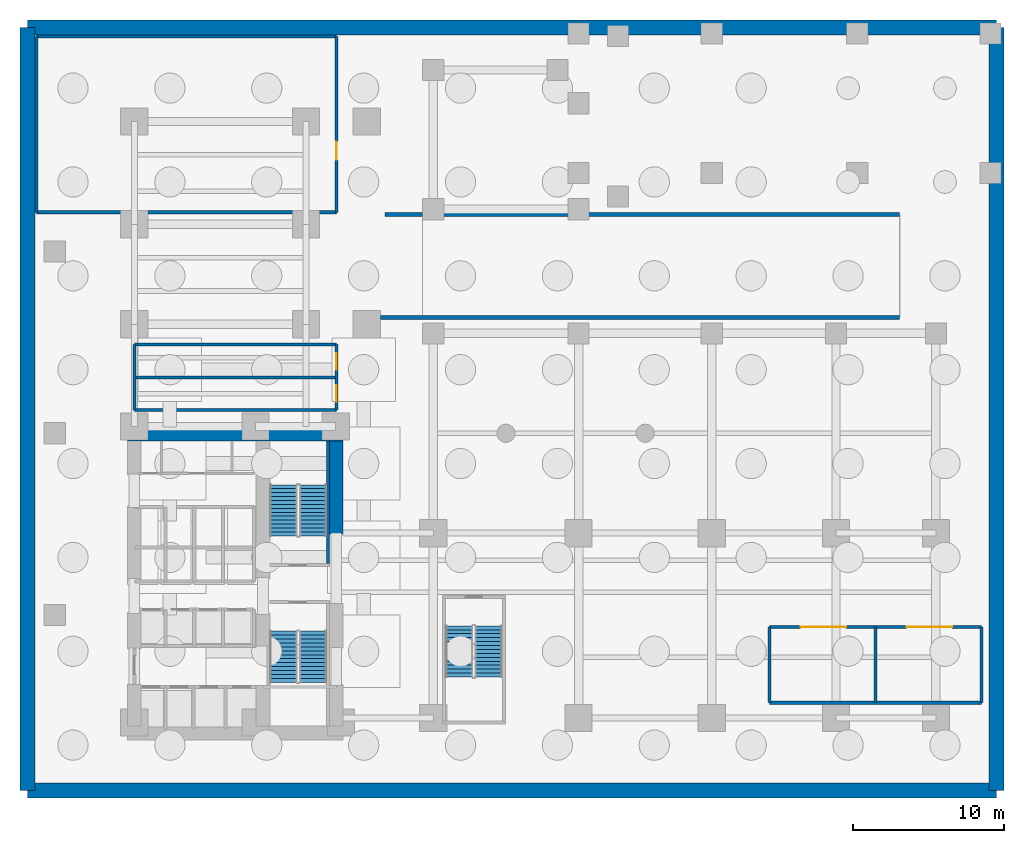
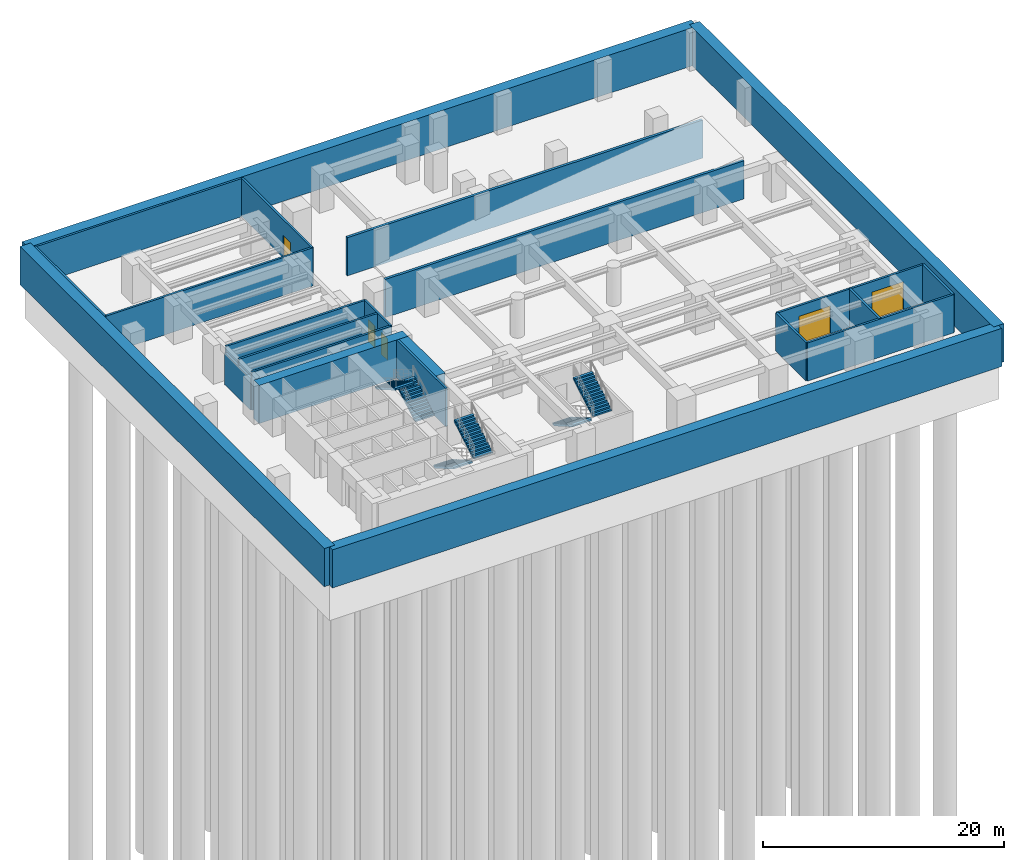
# One storey, part 4 of 6: 23 walls, 6 stair flights, 5 doors, 5 openings, 3 elements without a shape of their own.
"""IFC4 building model written with IfcOpenShell, lengths in metres."""

from ifc_helpers import new_model, si_unit, direction, frame, frame_2d, origin, place, context, subcontext, project, spatial, polyline, rectangle, outline, extrude, material, layer, layer_set, type_object, element, fill, aggregate, save


model = new_model("IFC4")

# Units and contexts
model_context = context("Model", 3, precision=1e-05, world=origin(), true_north=direction((0.0, 1.0)))
body_context = subcontext(model_context, "Body", "Model", "MODEL_VIEW")
ifc_project = project(units=[si_unit("LENGTHUNIT", "METRE"), si_unit("AREAUNIT", "SQUARE_METRE"), si_unit("VOLUMEUNIT", "CUBIC_METRE"), si_unit("PLANEANGLEUNIT", "RADIAN"), si_unit("MASSUNIT", "GRAM", prefix="KILO")], contexts=[model_context])

# Site, building, storey
site_placement = place(None, origin())
site = spatial("IfcSite", under=ifc_project, at=site_placement, CompositionType="ELEMENT")
building_placement = place(site_placement, origin())
building = spatial("IfcBuilding", under=site, at=building_placement, Name="Kolvaren Waterfront Exchange", CompositionType="ELEMENT")
storey_placement = place(building_placement, frame((0.0, 0.0, -8.39990234375)))
storey = spatial("IfcBuildingStorey", under=building, at=storey_placement, Name="B02", CompositionType="ELEMENT", Elevation=-8.39990234375)

# Wall, openings, doors
ifc_material_1 = material(Name="Precast concrete C40/50", Category="concrete")
ifc_layer_1 = layer(ifc_material_1, 0.199951171875, Name="Precast concrete C40/50")
ifc_layer_set_1 = layer_set([ifc_layer_1], Name="Precast concrete C40/50")
wall_type_1 = type_object("IfcWallType", Name="ARC-FIRE-200", PredefinedType="PARTITIONING", material=ifc_layer_set_1)
wall_1_placement = place(storey_placement, frame((49.39990234375, 11.199951171875, 0.0), z_axis=(0.0, 0.0, 1.0), x_axis=(1.0, 0.0, 0.0)))
wall_1 = element("IfcWall", 1, at=wall_1_placement, inside=storey, type_object=wall_type_1, Name="B02 interior wall PW-B02-EQBAY-N", PredefinedType="PARTITIONING", context=body_context, shape_type="SweptSolid", body=[
    extrude(rectangle(XDim=14.0, YDim=0.199951171875, at=frame_2d((7.0, 0.0))), origin(), (0.0, 0.0, 1.0), 3.85986328125),
])
opening_1_placement = place(wall_1_placement, frame((2.0732421875, 0.0, 0.0)))
opening_1 = element("IfcOpeningElement", 2, at=opening_1_placement, cuts=wall_1, Name="Opening VG2", PredefinedType="OPENING", context=body_context, shape_type="SweptSolid", body=[
    extrude(rectangle(XDim=3.0, YDim=2.800048828125, at=frame_2d((1.5, 1.39990234375))), frame((0.0, 0.10986328125, 0.0), z_axis=(0.0, -1.0, 0.0), x_axis=(1.0, 0.0, 0.0)), (0.0, 0.0, 1.0), 0.219970703125),
])
opening_2_placement = place(wall_1_placement, frame((9.0732421875, 0.0, 0.0)))
opening_2 = element("IfcOpeningElement", 3, at=opening_2_placement, cuts=wall_1, Name="Opening VG2", PredefinedType="OPENING", context=body_context, shape_type="SweptSolid", body=[
    extrude(rectangle(XDim=3.0, YDim=2.800048828125, at=frame_2d((1.5, 1.39990234375))), frame((0.0, 0.10986328125, 0.0), z_axis=(0.0, -1.0, 0.0), x_axis=(1.0, 0.0, 0.0)), (0.0, 0.0, 1.0), 0.219970703125),
])
ifc_material_2 = material(Name="Anodised aluminium security slats", Category="aluminium")
door_type_1 = type_object("IfcDoorType", Name="ARC-GATE-SVC", OperationType="ROLLINGUP", PredefinedType="GATE", material=ifc_material_2)
door_1_placement = place(opening_1_placement, origin())
door_1 = element("IfcDoor", 4, at=door_1_placement, inside=storey, type_object=door_type_1, Name="B02 door DR-B02-EQ-G1 (VG2)", OperationType="ROLLINGUP", OverallHeight=2.800048828125, OverallWidth=3.0, PredefinedType="GATE", context=body_context, shape_type="SweptSolid", body=[
    extrude(rectangle(XDim=3.0, YDim=2.800048828125, at=frame_2d((1.5, 1.39990234375))), frame((0.0, 0.02490234375, 0.0), z_axis=(0.0, -1.0, 0.0), x_axis=(1.0, 0.0, 0.0)), (0.0, 0.0, 1.0), 0.050048828125),
])
fill(opening_1, door_1)
door_2_placement = place(opening_2_placement, origin())
door_2 = element("IfcDoor", 5, at=door_2_placement, inside=storey, type_object=door_type_1, Name="B02 door DR-B02-EQ-G2 (VG2)", OperationType="ROLLINGUP", OverallHeight=2.800048828125, OverallWidth=3.0, PredefinedType="GATE", context=body_context, shape_type="SweptSolid", body=[
    extrude(rectangle(XDim=3.0, YDim=2.800048828125, at=frame_2d((1.5, 1.39990234375))), frame((0.0, 0.02490234375, 0.0), z_axis=(0.0, -1.0, 0.0), x_axis=(1.0, 0.0, 0.0)), (0.0, 0.0, 1.0), 0.050048828125),
])
fill(opening_2, door_2)

# Walls
wall_2_placement = place(storey_placement, frame((49.39990234375, 6.199951171875, 0.0), z_axis=(0.0, 0.0, 1.0), x_axis=(0.0, 1.0, 0.0)))
element("IfcWall", 6, at=wall_2_placement, inside=storey, type_object=wall_type_1, Name="B02 interior wall PW-B02-EQBAY-W", PredefinedType="PARTITIONING", context=body_context, shape_type="SweptSolid", body=[
    extrude(rectangle(XDim=5.0, YDim=0.199951171875, at=frame_2d((2.5, 0.0))), origin(), (0.0, 0.0, 1.0), 3.85986328125),
])
wall_3_placement = place(storey_placement, frame((49.39990234375, 6.199951171875, 0.0), z_axis=(0.0, 0.0, 1.0), x_axis=(1.0, 0.0, 0.0)))
element("IfcWall", 7, at=wall_3_placement, inside=storey, type_object=wall_type_1, Name="B02 interior wall PW-B02-EQBAY-S", PredefinedType="PARTITIONING", context=body_context, shape_type="SweptSolid", body=[
    extrude(rectangle(XDim=14.0, YDim=0.199951171875, at=frame_2d((7.0, 0.0))), origin(), (0.0, 0.0, 1.0), 3.85986328125),
])
for number, where, z_axis, x_axis, name in (
    (8, (63.39990234375, 6.199951171875, 0.0), (0.0, 0.0, 1.0), (0.0, 1.0, 0.0), "B02 interior wall PW-B02-EQBAY-E"),
    (9, (56.39990234375, 6.199951171875, 0.0), (0.0, 0.0, 1.0), (0.0, 1.0, 0.0), "B02 interior wall PW-B02-EQBAY-MID"),
):
    element("IfcWall", number, at=place(storey_placement, frame(where, z_axis=z_axis, x_axis=x_axis)), inside=storey, type_object=wall_type_1, Name=name, PredefinedType="PARTITIONING", context=body_context, shape_type="SweptSolid", body=[
        extrude(rectangle(XDim=5.0, YDim=0.199951171875, at=frame_2d((2.5, 0.0))), origin(), (0.0, 0.0, 1.0), 3.85986328125),
    ])

# Wall, openings, doors
wall_4_placement = place(storey_placement, frame((20.800048828125, 25.550048828125, 0.0), z_axis=(0.0, 0.0, 1.0), x_axis=(0.0, 1.0, 0.0)))
wall_4 = element("IfcWall", 10, at=wall_4_placement, inside=storey, type_object=wall_type_1, Name="B02 interior wall PW-B02-BPLANT-E", PredefinedType="PARTITIONING", context=body_context, shape_type="SweptSolid", body=[
    extrude(rectangle(XDim=4.300048828125, YDim=0.199951171875, at=frame_2d((2.14990234375, 0.0))), origin(), (0.0, 0.0, 1.0), 3.85986328125),
])
opening_3_placement = place(wall_4_placement, frame((0.52490234375, 0.0, 0.0)))
opening_3 = element("IfcOpeningElement", 11, at=opening_3_placement, cuts=wall_4, Name="Opening FD2", PredefinedType="OPENING", context=body_context, shape_type="SweptSolid", body=[
    extrude(rectangle(XDim=1.10009765625, YDim=2.199951171875, at=frame_2d((0.550048828125, 1.10009765625))), frame((0.0, 0.10986328125, 0.0), z_axis=(0.0, -1.0, 0.0), x_axis=(1.0, 0.0, 0.0)), (0.0, 0.0, 1.0), 0.219970703125),
])
opening_4_placement = place(wall_4_placement, frame((2.64990234375, 0.0, 0.0)))
opening_4 = element("IfcOpeningElement", 12, at=opening_4_placement, cuts=wall_4, Name="Opening FD2", PredefinedType="OPENING", context=body_context, shape_type="SweptSolid", body=[
    extrude(rectangle(XDim=1.10009765625, YDim=2.199951171875, at=frame_2d((0.550048828125, 1.10009765625))), frame((0.0, 0.10986328125, 0.0), z_axis=(0.0, -1.0, 0.0), x_axis=(1.0, 0.0, 0.0)), (0.0, 0.0, 1.0), 0.219970703125),
])
ifc_material_3 = material(Name="Pressed steel smoke-seal fire door", Category="steel")
door_type_2 = type_object("IfcDoorType", Name="ARC-FD-1100", OperationType="NOTDEFINED", PredefinedType="DOOR", material=ifc_material_3)
door_3_placement = place(opening_3_placement, frame((1.10009765625, 0.0, 0.0), z_axis=(0.0, 0.0, 1.0), x_axis=(-1.0, 0.0, 0.0)))
door_3 = element("IfcDoor", 13, at=door_3_placement, inside=storey, type_object=door_type_2, Name="B02 door DR-B02-BP-D1 (FD2)", OperationType="SINGLE_SWING_RIGHT", OverallHeight=2.199951171875, OverallWidth=1.10009765625, PredefinedType="DOOR", context=body_context, shape_type="SweptSolid", body=[
    extrude(rectangle(XDim=1.10009765625, YDim=2.199951171875, at=frame_2d((0.550048828125, 1.10009765625))), frame((0.0, 0.02490234375, 0.0), z_axis=(0.0, -1.0, 0.0), x_axis=(1.0, 0.0, 0.0)), (0.0, 0.0, 1.0), 0.050048828125),
])
fill(opening_3, door_3)
door_4_placement = place(opening_4_placement, frame((1.10009765625, 0.0, 0.0), z_axis=(0.0, 0.0, 1.0), x_axis=(-1.0, 0.0, 0.0)))
door_4 = element("IfcDoor", 14, at=door_4_placement, inside=storey, type_object=door_type_2, Name="B02 door DR-B02-BP-D2 (FD2)", OperationType="SINGLE_SWING_LEFT", OverallHeight=2.199951171875, OverallWidth=1.10009765625, PredefinedType="DOOR", context=body_context, shape_type="SweptSolid", body=[
    extrude(rectangle(XDim=1.10009765625, YDim=2.199951171875, at=frame_2d((0.550048828125, 1.10009765625))), frame((0.0, 0.02490234375, 0.0), z_axis=(0.0, -1.0, 0.0), x_axis=(1.0, 0.0, 0.0)), (0.0, 0.0, 1.0), 0.050048828125),
])
fill(opening_4, door_4)

# Walls
for number, where, z_axis, x_axis, name in (
    (15, (7.449951171875, 25.550048828125, 0.0), (0.0, 0.0, 1.0), (1.0, 0.0, 0.0), "B02 interior wall PW-B02-BPLANT-S"),
    (16, (7.449951171875, 29.85009765625, 0.0), (0.0, 0.0, 1.0), (1.0, 0.0, 0.0), "B02 interior wall PW-B02-BPLANT-N"),
):
    element("IfcWall", number, at=place(storey_placement, frame(where, z_axis=z_axis, x_axis=x_axis)), inside=storey, type_object=wall_type_1, Name=name, PredefinedType="PARTITIONING", context=body_context, shape_type="SweptSolid", body=[
        extrude(rectangle(XDim=13.35009765625, YDim=0.199951171875, at=frame_2d((6.675048828125, 0.0))), origin(), (0.0, 0.0, 1.0), 3.85986328125),
    ])
wall_5_placement = place(storey_placement, frame((7.449951171875, 25.550048828125, 0.0), z_axis=(0.0, 0.0, 1.0), x_axis=(0.0, 1.0, 0.0)))
element("IfcWall", 17, at=wall_5_placement, inside=storey, type_object=wall_type_1, Name="B02 interior wall PW-B02-BPLANT-W", PredefinedType="PARTITIONING", context=body_context, shape_type="SweptSolid", body=[
    extrude(rectangle(XDim=4.300048828125, YDim=0.199951171875, at=frame_2d((2.14990234375, 0.0))), origin(), (0.0, 0.0, 1.0), 3.2099609375),
])
wall_6_placement = place(storey_placement, frame((7.449951171875, 27.699951171875, 0.0), z_axis=(0.0, 0.0, 1.0), x_axis=(1.0, 0.0, 0.0)))
element("IfcWall", 18, at=wall_6_placement, inside=storey, type_object=wall_type_1, Name="B02 interior wall PW-B02-BPLANT-MID", PredefinedType="PARTITIONING", context=body_context, shape_type="SweptSolid", body=[
    extrude(rectangle(XDim=13.35009765625, YDim=0.199951171875, at=frame_2d((6.675048828125, 0.0))), origin(), (0.0, 0.0, 1.0), 3.85986328125),
])
wall_7_placement = place(storey_placement, frame((1.0, 38.60009765625, 0.0), z_axis=(0.0, 0.0, 1.0), x_axis=(1.0, 0.0, 0.0)))
element("IfcWall", 19, at=wall_7_placement, inside=storey, type_object=wall_type_1, Name="B02 interior wall PW-B02-LOAD-S", PredefinedType="PARTITIONING", context=body_context, shape_type="SweptSolid", body=[
    extrude(rectangle(XDim=19.800048828125, YDim=0.199951171875, at=frame_2d((9.89990234375, 0.0))), origin(), (0.0, 0.0, 1.0), 3.85986328125),
])
wall_8_placement = place(storey_placement, frame((1.0, 38.60009765625, 0.0), z_axis=(0.0, 0.0, 1.0), x_axis=(0.0, 1.0, 0.0)))
element("IfcWall", 20, at=wall_8_placement, inside=storey, type_object=wall_type_1, Name="B02 interior wall PW-B02-LOAD-W", PredefinedType="PARTITIONING", context=body_context, shape_type="SweptSolid", body=[
    extrude(rectangle(XDim=11.599853515625, YDim=0.199951171875, at=frame_2d((5.7998046875, 0.0))), origin(), (0.0, 0.0, 1.0), 3.85986328125),
])
wall_9_placement = place(storey_placement, frame((1.0, 50.199951171875, 0.0), z_axis=(0.0, 0.0, 1.0), x_axis=(1.0, 0.0, 0.0)))
element("IfcWall", 21, at=wall_9_placement, inside=storey, type_object=wall_type_1, Name="B02 interior wall PW-B02-LOAD-N", PredefinedType="PARTITIONING", context=body_context, shape_type="SweptSolid", body=[
    extrude(rectangle(XDim=19.800048828125, YDim=0.199951171875, at=frame_2d((9.89990234375, 0.0))), origin(), (0.0, 0.0, 1.0), 3.85986328125),
])

# Wall, opening, door
wall_10_placement = place(storey_placement, frame((20.800048828125, 38.60009765625, 0.0), z_axis=(0.0, 0.0, 1.0), x_axis=(0.0, 1.0, 0.0)))
wall_10 = element("IfcWall", 22, at=wall_10_placement, inside=storey, type_object=wall_type_1, Name="B02 interior wall PW-B02-LOAD-E", PredefinedType="PARTITIONING", context=body_context, shape_type="SweptSolid", body=[
    extrude(rectangle(XDim=11.599853515625, YDim=0.199951171875, at=frame_2d((5.7998046875, 0.0))), origin(), (0.0, 0.0, 1.0), 3.85986328125),
])
opening_5_placement = place(wall_10_placement, frame((3.462158203125, 0.0, 0.0)))
opening_5 = element("IfcOpeningElement", 23, at=opening_5_placement, cuts=wall_10, Name="Opening FD3", PredefinedType="OPENING", context=body_context, shape_type="SweptSolid", body=[
    extrude(rectangle(XDim=1.199951171875, YDim=2.25, at=frame_2d((0.60009765625, 1.125))), frame((0.0, 0.10986328125, 0.0), z_axis=(0.0, -1.0, 0.0), x_axis=(1.0, 0.0, 0.0)), (0.0, 0.0, 1.0), 0.219970703125),
])
ifc_material_4 = material(Name="Pressed steel fire door", Category="steel")
door_type_3 = type_object("IfcDoorType", Name="ARC-FD-1200", OperationType="NOTDEFINED", PredefinedType="DOOR", material=ifc_material_4)
door_5_placement = place(opening_5_placement, origin())
door_5 = element("IfcDoor", 24, at=door_5_placement, inside=storey, type_object=door_type_3, Name="B02 door DR-B02-TANK-DR (FD3)", OperationType="SINGLE_SWING_RIGHT", OverallHeight=2.25, OverallWidth=1.199951171875, PredefinedType="DOOR", context=body_context, shape_type="SweptSolid", body=[
    extrude(rectangle(XDim=1.199951171875, YDim=2.25, at=frame_2d((0.60009765625, 1.125))), frame((0.0, 0.02490234375, 0.0), z_axis=(0.0, -1.0, 0.0), x_axis=(1.0, 0.0, 0.0)), (0.0, 0.0, 1.0), 0.050048828125),
])
fill(opening_5, door_5)

# Walls
ifc_material_5 = material(Name="Concrete C40/50", Category="concrete")
ifc_layer_2 = layer(ifc_material_5, 0.199951171875, Name="Concrete C40/50")
ifc_layer_set_2 = layer_set([ifc_layer_2], Name="Concrete C40/50")
wall_type_2 = type_object("IfcWallType", Name="ARC-SHAFT-200", PredefinedType="PARTITIONING", material=ifc_layer_set_2)
wall_11_placement = place(storey_placement, frame((20.260009765625, 15.39990234375, 0.0), z_axis=(0.0, 0.0, 1.0), x_axis=(0.0, 1.0, 0.0)))
element("IfcWall", 25, at=wall_11_placement, inside=storey, type_object=wall_type_2, Name="B02 structural stairwell wall PW-B02-ST2-E", PredefinedType="SHEAR", context=body_context, shape_type="SweptSolid", body=[
    extrude(rectangle(XDim=8.090087890625, YDim=0.199951171875, at=frame_2d((4.044921875, 0.0))), origin(), (0.0, 0.0, 1.0), 3.85986328125),
])
ifc_material_6 = material(Name="Concrete C70/85", Category="concrete")
ifc_layer_3 = layer(ifc_material_6, 0.89990234375, Name="Concrete C70/85")
ifc_layer_set_3 = layer_set([ifc_layer_3], Name="Concrete C70/85")
wall_type_3 = type_object("IfcWallType", Name="STR-CWALL-900", PredefinedType="SHEAR", material=ifc_layer_set_3)
wall_12_placement = place(storey_placement, frame((7.0, 23.949951171875, 0.0), z_axis=(0.0, 0.0, 1.0), x_axis=(1.0, 0.0, 0.0)))
element("IfcWall", 26, at=wall_12_placement, inside=storey, type_object=wall_type_3, Name="B02 rear-core shear wall N", PredefinedType="SHEAR", context=body_context, shape_type="SweptSolid", body=[
    extrude(rectangle(XDim=14.25, YDim=0.89990234375, at=frame_2d((7.125, 0.0))), origin(), (0.0, 0.0, 1.0), 3.85986328125),
])
wall_13_placement = place(storey_placement, frame((20.800048828125, 17.35009765625, 0.0), z_axis=(0.0, 0.0, 1.0), x_axis=(0.0, 1.0, 0.0)))
element("IfcWall", 27, at=wall_13_placement, inside=storey, type_object=wall_type_3, Name="B02 rear-core shear wall E3", PredefinedType="SHEAR", context=body_context, shape_type="SweptSolid", body=[
    extrude(rectangle(XDim=6.14990234375, YDim=0.89990234375, at=frame_2d((3.074951171875, 0.0))), origin(), (0.0, 0.0, 1.0), 3.85986328125),
])
ifc_layer_4 = layer(ifc_material_5, 1.0, Name="Concrete C40/50")
ifc_layer_set_4 = layer_set([ifc_layer_4], Name="Concrete C40/50")
wall_type_4 = type_object("IfcWallType", Name="STR-DWALL-1000", PredefinedType="USERDEFINED", material=ifc_layer_set_4)
wall_14_placement = place(storey_placement, frame((0.39990234375, 0.39990234375, 0.0), z_axis=(0.0, 0.0, 1.0), x_axis=(1.0, 0.0, 0.0)))
element("IfcWall", 28, at=wall_14_placement, inside=storey, type_object=wall_type_4, Name="B02 S diaphragm retaining wall", ObjectType="RETAININGWALL", PredefinedType="USERDEFINED", context=body_context, shape_type="SweptSolid", body=[
    extrude(rectangle(XDim=64.0, YDim=1.0, at=frame_2d((32.0, 0.0))), origin(), (0.0, 0.0, 1.0), 3.85986328125),
])
wall_15_placement = place(storey_placement, frame((64.39990234375, 0.39990234375, 0.0), z_axis=(0.0, 0.0, 1.0), x_axis=(0.0, 1.0, 0.0)))
element("IfcWall", 29, at=wall_15_placement, inside=storey, type_object=wall_type_4, Name="B02 E diaphragm retaining wall", ObjectType="RETAININGWALL", PredefinedType="USERDEFINED", context=body_context, shape_type="SweptSolid", body=[
    extrude(rectangle(XDim=50.400146484375, YDim=1.0, at=frame_2d((25.2001953125, 0.0))), origin(), (0.0, 0.0, 1.0), 3.85986328125),
])
wall_16_placement = place(storey_placement, frame((64.39990234375, 50.800048828125, 0.0), z_axis=(0.0, 0.0, 1.0), x_axis=(-1.0, 0.0, 0.0)))
element("IfcWall", 30, at=wall_16_placement, inside=storey, type_object=wall_type_4, Name="B02 N diaphragm retaining wall", ObjectType="RETAININGWALL", PredefinedType="USERDEFINED", context=body_context, shape_type="SweptSolid", body=[
    extrude(rectangle(XDim=64.0, YDim=1.0, at=frame_2d((32.0, 0.0))), origin(), (0.0, 0.0, 1.0), 3.85986328125),
])
wall_17_placement = place(storey_placement, frame((0.39990234375, 50.800048828125, 0.0), z_axis=(0.0, 0.0, 1.0), x_axis=(0.0, -1.0, 0.0)))
element("IfcWall", 31, at=wall_17_placement, inside=storey, type_object=wall_type_4, Name="B02 W diaphragm retaining wall", ObjectType="RETAININGWALL", PredefinedType="USERDEFINED", context=body_context, shape_type="SweptSolid", body=[
    extrude(rectangle(XDim=50.400146484375, YDim=1.0, at=frame_2d((25.2001953125, 0.0))), origin(), (0.0, 0.0, 1.0), 3.85986328125),
])
ifc_layer_5 = layer(ifc_material_5, 0.25, Name="Concrete C40/50")
ifc_layer_set_5 = layer_set([ifc_layer_5], Name="Concrete C40/50")
wall_type_5 = type_object("IfcWallType", Name="STR-RWALL-250", PredefinedType="SOLIDWALL", material=ifc_layer_set_5)
wall_18_placement = place(storey_placement, frame((23.699951171875, 31.64990234375, 0.0), z_axis=(0.0, 0.0, 1.0), x_axis=(1.0, 0.0, 0.0)))
element("IfcWall", 32, at=wall_18_placement, inside=storey, type_object=wall_type_5, Name="B02 vehicle ramp south bearing wall", PredefinedType="SOLIDWALL", context=body_context, shape_type="SweptSolid", body=[
    extrude(rectangle(XDim=34.300048828125, YDim=0.25, at=frame_2d((17.14990234375, 0.0))), origin(), (0.0, 0.0, 1.0), 3.85986328125),
])
wall_19_placement = place(storey_placement, frame((24.0, 38.449951171875, 0.0), z_axis=(0.0, 0.0, 1.0), x_axis=(1.0, 0.0, 0.0)))
element("IfcWall", 33, at=wall_19_placement, inside=storey, type_object=wall_type_5, Name="B02 vehicle ramp north bearing wall", PredefinedType="SOLIDWALL", context=body_context, shape_type="SweptSolid", body=[
    extrude(rectangle(XDim=34.0, YDim=0.25, at=frame_2d((17.0, 0.0))), origin(), (0.0, 0.0, 1.0), 3.85986328125),
])

# Stair, stair flights
stair_type = type_object("IfcStairType", Name="ARC-STAIR-4200", PredefinedType="HALF_TURN_STAIR", material=ifc_material_5)
stair_1_placement = place(storey_placement, origin())
stair_1 = element("IfcStair", 34, at=stair_1_placement, inside=storey, type_object=stair_type, Name="B02 Smoke-proof exit stair ST1", PredefinedType="HALF_TURN_STAIR")
stair_flight_type = type_object("IfcStairFlightType", Name="ARC-FLIGHT-4200", PredefinedType="STRAIGHT", material=ifc_material_5)
stair_flight_1_placement = place(storey_placement, frame((17.300048828125, 10.929931640625, 0.0), z_axis=(0.0, 0.0, 1.0), x_axis=(0.0, -1.0, 0.0)))
stair_flight_1 = element("IfcStairFlight", 35, at=stair_flight_1_placement, type_object=stair_flight_type, Name="ST1 flight 1", NumberOfRisers=14, NumberOfTreads=13, PredefinedType="STRAIGHT", RiserHeight=0.15, TreadLength=0.26, context=body_context, shape_type="SweptSolid", body=[
    extrude(outline(polyline([(0.0, 0.0), (0.0, 0.14990234375), (0.260009765625, 0.14990234375), (0.260009765625, 0.300048828125), (0.52001953125, 0.300048828125), (0.52001953125, 0.449951171875), (0.780029296875, 0.449951171875), (0.780029296875, 0.60009765625), (1.0400390625, 0.60009765625), (1.0400390625, 0.75), (1.300048828125, 0.75), (1.300048828125, 0.89990234375), (1.56005859375, 0.89990234375), (1.56005859375, 1.050048828125), (1.820068359375, 1.050048828125), (1.820068359375, 1.199951171875), (2.080078125, 1.199951171875), (2.080078125, 1.35009765625), (2.340087890625, 1.35009765625), (2.340087890625, 1.5), (2.60009765625, 1.5), (2.60009765625, 1.64990234375), (2.860107421875, 1.64990234375), (2.860107421875, 1.800048828125), (3.1201171875, 1.800048828125), (3.1201171875, 1.949951171875), (3.3798828125, 1.949951171875), (3.3798828125, 2.10009765625), (3.3798828125, 1.77685546875), (0.300048828125, 0.0), (0.0, 0.0)])), frame((0.0, 0.89990234375, 0.0), z_axis=(0.0, -1.0, 0.0), x_axis=(1.0, 0.0, 0.0)), (0.0, 0.0, 1.0), 1.800048828125),
])
stair_flight_2_placement = place(storey_placement, frame((19.260009765625, 7.550048828125, 2.099853515625), z_axis=(0.0, 0.0, 1.0), x_axis=(0.0, 1.0, 0.0)))
stair_flight_2 = element("IfcStairFlight", 36, at=stair_flight_2_placement, type_object=stair_flight_type, Name="ST1 flight 2", NumberOfRisers=14, NumberOfTreads=13, PredefinedType="STRAIGHT", RiserHeight=0.15, TreadLength=0.26, context=body_context, shape_type="SweptSolid", body=[
    extrude(outline(polyline([(0.0, 0.0), (0.0, 0.14990234375), (0.260009765625, 0.14990234375), (0.260009765625, 0.300048828125), (0.52001953125, 0.300048828125), (0.52001953125, 0.449951171875), (0.780029296875, 0.449951171875), (0.780029296875, 0.60009765625), (1.0400390625, 0.60009765625), (1.0400390625, 0.75), (1.300048828125, 0.75), (1.300048828125, 0.89990234375), (1.56005859375, 0.89990234375), (1.56005859375, 1.050048828125), (1.820068359375, 1.050048828125), (1.820068359375, 1.199951171875), (2.080078125, 1.199951171875), (2.080078125, 1.35009765625), (2.340087890625, 1.35009765625), (2.340087890625, 1.5), (2.60009765625, 1.5), (2.60009765625, 1.64990234375), (2.860107421875, 1.64990234375), (2.860107421875, 1.800048828125), (3.1201171875, 1.800048828125), (3.1201171875, 1.949951171875), (3.3798828125, 1.949951171875), (3.3798828125, 2.10009765625), (3.3798828125, 1.77685546875), (0.300048828125, 0.0), (0.0, 0.0)])), frame((0.0, 0.89990234375, 0.0), z_axis=(0.0, -1.0, 0.0), x_axis=(1.0, 0.0, 0.0)), (0.0, 0.0, 1.0), 1.800048828125),
])
aggregate(stair_1, [stair_flight_1, stair_flight_2])

stair_2_placement = place(storey_placement, origin())
stair_2 = element("IfcStair", 37, at=stair_2_placement, inside=storey, type_object=stair_type, Name="B02 Smoke-proof exit stair ST2", PredefinedType="HALF_TURN_STAIR")
stair_flight_3_placement = place(storey_placement, frame((19.260009765625, 17.219970703125, 0.0), z_axis=(0.0, 0.0, 1.0), x_axis=(0.0, 1.0, 0.0)))
stair_flight_3 = element("IfcStairFlight", 38, at=stair_flight_3_placement, type_object=stair_flight_type, Name="ST2 flight 1", NumberOfRisers=14, NumberOfTreads=13, PredefinedType="STRAIGHT", RiserHeight=0.15, TreadLength=0.26, context=body_context, shape_type="SweptSolid", body=[
    extrude(outline(polyline([(0.0, 0.0), (0.0, 0.14990234375), (0.260009765625, 0.14990234375), (0.260009765625, 0.300048828125), (0.52001953125, 0.300048828125), (0.52001953125, 0.449951171875), (0.780029296875, 0.449951171875), (0.780029296875, 0.60009765625), (1.0400390625, 0.60009765625), (1.0400390625, 0.75), (1.300048828125, 0.75), (1.300048828125, 0.89990234375), (1.56005859375, 0.89990234375), (1.56005859375, 1.050048828125), (1.820068359375, 1.050048828125), (1.820068359375, 1.199951171875), (2.080078125, 1.199951171875), (2.080078125, 1.35009765625), (2.340087890625, 1.35009765625), (2.340087890625, 1.5), (2.60009765625, 1.5), (2.60009765625, 1.64990234375), (2.860107421875, 1.64990234375), (2.860107421875, 1.800048828125), (3.1201171875, 1.800048828125), (3.1201171875, 1.949951171875), (3.3798828125, 1.949951171875), (3.3798828125, 2.10009765625), (3.3798828125, 1.77685546875), (0.300048828125, 0.0), (0.0, 0.0)])), frame((0.0, 0.89990234375, 0.0), z_axis=(0.0, -1.0, 0.0), x_axis=(1.0, 0.0, 0.0)), (0.0, 0.0, 1.0), 1.800048828125),
])
stair_flight_4_placement = place(storey_placement, frame((17.300048828125, 20.60009765625, 2.099853515625), z_axis=(0.0, 0.0, 1.0), x_axis=(0.0, -1.0, 0.0)))
stair_flight_4 = element("IfcStairFlight", 39, at=stair_flight_4_placement, type_object=stair_flight_type, Name="ST2 flight 2", NumberOfRisers=14, NumberOfTreads=13, PredefinedType="STRAIGHT", RiserHeight=0.15, TreadLength=0.26, context=body_context, shape_type="SweptSolid", body=[
    extrude(outline(polyline([(0.0, 0.0), (0.0, 0.14990234375), (0.260009765625, 0.14990234375), (0.260009765625, 0.300048828125), (0.52001953125, 0.300048828125), (0.52001953125, 0.449951171875), (0.780029296875, 0.449951171875), (0.780029296875, 0.60009765625), (1.0400390625, 0.60009765625), (1.0400390625, 0.75), (1.300048828125, 0.75), (1.300048828125, 0.89990234375), (1.56005859375, 0.89990234375), (1.56005859375, 1.050048828125), (1.820068359375, 1.050048828125), (1.820068359375, 1.199951171875), (2.080078125, 1.199951171875), (2.080078125, 1.35009765625), (2.340087890625, 1.35009765625), (2.340087890625, 1.5), (2.60009765625, 1.5), (2.60009765625, 1.64990234375), (2.860107421875, 1.64990234375), (2.860107421875, 1.800048828125), (3.1201171875, 1.800048828125), (3.1201171875, 1.949951171875), (3.3798828125, 1.949951171875), (3.3798828125, 2.10009765625), (3.3798828125, 1.77685546875), (0.300048828125, 0.0), (0.0, 0.0)])), frame((0.0, 0.89990234375, 0.0), z_axis=(0.0, -1.0, 0.0), x_axis=(1.0, 0.0, 0.0)), (0.0, 0.0, 1.0), 1.800048828125),
])
aggregate(stair_2, [stair_flight_3, stair_flight_4])

stair_3_placement = place(storey_placement, origin())
stair_3 = element("IfcStair", 40, at=stair_3_placement, inside=storey, type_object=stair_type, Name="B02 Exit stair ST3", PredefinedType="HALF_TURN_STAIR")
stair_flight_5_placement = place(storey_placement, frame((28.89990234375, 11.280029296875, 0.0), z_axis=(0.0, 0.0, 1.0), x_axis=(0.0, -1.0, 0.0)))
stair_flight_5 = element("IfcStairFlight", 41, at=stair_flight_5_placement, type_object=stair_flight_type, Name="ST3 flight 1", NumberOfRisers=14, NumberOfTreads=13, PredefinedType="STRAIGHT", RiserHeight=0.15, TreadLength=0.26, context=body_context, shape_type="SweptSolid", body=[
    extrude(outline(polyline([(0.0, 0.0), (0.0, 0.14990234375), (0.260009765625, 0.14990234375), (0.260009765625, 0.300048828125), (0.52001953125, 0.300048828125), (0.52001953125, 0.449951171875), (0.780029296875, 0.449951171875), (0.780029296875, 0.60009765625), (1.0400390625, 0.60009765625), (1.0400390625, 0.75), (1.300048828125, 0.75), (1.300048828125, 0.89990234375), (1.56005859375, 0.89990234375), (1.56005859375, 1.050048828125), (1.820068359375, 1.050048828125), (1.820068359375, 1.199951171875), (2.080078125, 1.199951171875), (2.080078125, 1.35009765625), (2.340087890625, 1.35009765625), (2.340087890625, 1.5), (2.60009765625, 1.5), (2.60009765625, 1.64990234375), (2.860107421875, 1.64990234375), (2.860107421875, 1.800048828125), (3.1201171875, 1.800048828125), (3.1201171875, 1.949951171875), (3.3798828125, 1.949951171875), (3.3798828125, 2.10009765625), (3.3798828125, 1.77685546875), (0.300048828125, 0.0), (0.0, 0.0)])), frame((0.0, 0.89990234375, 0.0), z_axis=(0.0, -1.0, 0.0), x_axis=(1.0, 0.0, 0.0)), (0.0, 0.0, 1.0), 1.800048828125),
])
stair_flight_6_placement = place(storey_placement, frame((30.860107421875, 7.89990234375, 2.099853515625), z_axis=(0.0, 0.0, 1.0), x_axis=(0.0, 1.0, 0.0)))
stair_flight_6 = element("IfcStairFlight", 42, at=stair_flight_6_placement, type_object=stair_flight_type, Name="ST3 flight 2", NumberOfRisers=14, NumberOfTreads=13, PredefinedType="STRAIGHT", RiserHeight=0.15, TreadLength=0.26, context=body_context, shape_type="SweptSolid", body=[
    extrude(outline(polyline([(0.0, 0.0), (0.0, 0.14990234375), (0.260009765625, 0.14990234375), (0.260009765625, 0.300048828125), (0.52001953125, 0.300048828125), (0.52001953125, 0.449951171875), (0.780029296875, 0.449951171875), (0.780029296875, 0.60009765625), (1.0400390625, 0.60009765625), (1.0400390625, 0.75), (1.300048828125, 0.75), (1.300048828125, 0.89990234375), (1.56005859375, 0.89990234375), (1.56005859375, 1.050048828125), (1.820068359375, 1.050048828125), (1.820068359375, 1.199951171875), (2.080078125, 1.199951171875), (2.080078125, 1.35009765625), (2.340087890625, 1.35009765625), (2.340087890625, 1.5), (2.60009765625, 1.5), (2.60009765625, 1.64990234375), (2.860107421875, 1.64990234375), (2.860107421875, 1.800048828125), (3.1201171875, 1.800048828125), (3.1201171875, 1.949951171875), (3.3798828125, 1.949951171875), (3.3798828125, 2.10009765625), (3.3798828125, 1.77685546875), (0.300048828125, 0.0), (0.0, 0.0)])), frame((0.0, 0.89990234375, 0.0), z_axis=(0.0, -1.0, 0.0), x_axis=(1.0, 0.0, 0.0)), (0.0, 0.0, 1.0), 1.800048828125),
])
aggregate(stair_3, [stair_flight_5, stair_flight_6])

save(model, "model.ifc")
